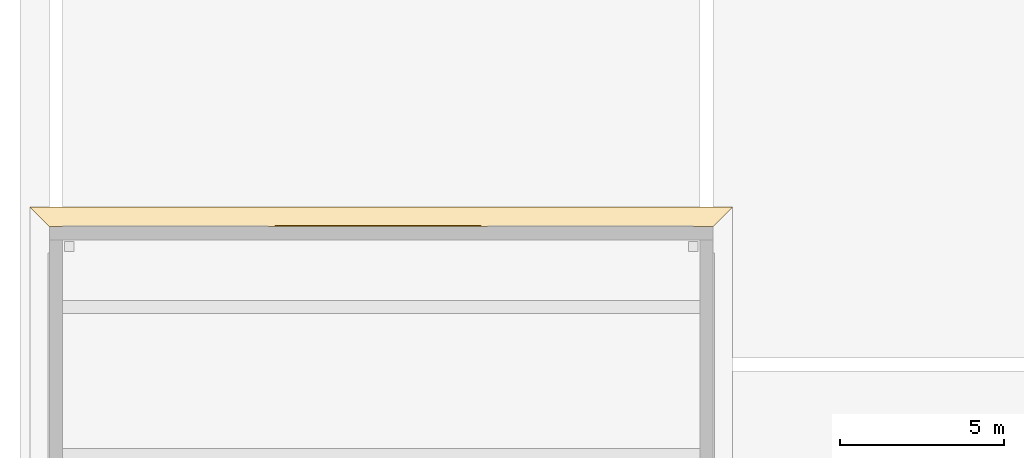
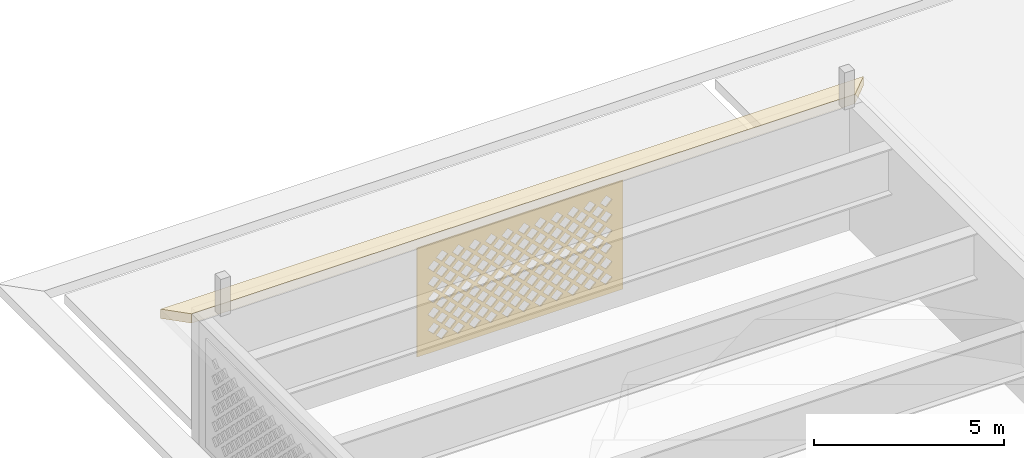
# One storey, part 31 of 63: 2 coverings.
"""IFC4 building model written with IfcOpenShell, lengths in metres."""

from ifc_helpers import new_model, si_unit, direction, frame, origin, place, context, subcontext, project, spatial, polyline, outline, extrude, material, layer, layer_set, type_object, element, save


model = new_model("IFC4")

# Units and contexts
model_context = context("Model", 3, precision=1e-05, world=origin(), true_north=direction((0.0, 1.0)))
body_context = subcontext(model_context, "Body", "Model", "MODEL_VIEW")
ifc_project = project(units=[si_unit("LENGTHUNIT", "METRE"), si_unit("AREAUNIT", "SQUARE_METRE"), si_unit("VOLUMEUNIT", "CUBIC_METRE"), si_unit("PLANEANGLEUNIT", "RADIAN"), si_unit("MASSUNIT", "GRAM", prefix="KILO")], contexts=[model_context])

# Site, building, storey
site_placement = place(None, origin())
site = spatial("IfcSite", under=ifc_project, at=site_placement, CompositionType="ELEMENT")
building_placement = place(site_placement, origin())
building = spatial("IfcBuilding", under=site, at=building_placement, Name="Noorbagh Ring Tower", CompositionType="ELEMENT")
storey_placement = place(building_placement, frame((0.0, 0.0, 25.0)))
storey = spatial("IfcBuildingStorey", under=building, at=storey_placement, Name="L04", CompositionType="ELEMENT", Elevation=25.0)

# Coverings
ifc_material_1 = material(Name="Red sandstone jali", Category="masonry")
ifc_layer = layer(ifc_material_1, 0.0400390625)
ifc_layer_set = layer_set([ifc_layer], Name="Red sandstone jali")
covering_type_1 = type_object("IfcCoveringType", Name="STH-BAND", PredefinedType="USERDEFINED", material=ifc_layer_set)
covering_1_placement = place(storey_placement, frame((-146.86669921875, 23.239990234375, 0.199951171875), z_axis=(0.0, 1.0, 0.0), x_axis=(-1.0, 0.0, 0.0)))
element("IfcCovering", 1, at=covering_1_placement, inside=storey, type_object=covering_type_1, Name="Jali band of the stage house", ObjectType="JALI SCREEN", PredefinedType="USERDEFINED", context=body_context, shape_type="SweptSolid", body=[
    extrude(outline(polyline([(0.0, 0.0), (6.2666015625, 0.0), (6.2666015625, 3.5), (0.0, 3.5), (0.0, 0.0)]), holes=[polyline([(0.328369140625, 0.5), (0.50830078125, 0.320068359375), (0.688232421875, 0.5), (0.50830078125, 0.679931640625), (0.328369140625, 0.5)]), polyline([(0.828369140625, 0.5), (1.00830078125, 0.320068359375), (1.188232421875, 0.5), (1.00830078125, 0.679931640625), (0.828369140625, 0.5)]), polyline([(1.328369140625, 0.5), (1.50830078125, 0.320068359375), (1.688232421875, 0.5), (1.50830078125, 0.679931640625), (1.328369140625, 0.5)]), polyline([(1.828369140625, 0.5), (2.00830078125, 0.320068359375), (2.188232421875, 0.5), (2.00830078125, 0.679931640625), (1.828369140625, 0.5)]), polyline([(2.328369140625, 0.5), (2.50830078125, 0.320068359375), (2.688232421875, 0.5), (2.50830078125, 0.679931640625), (2.328369140625, 0.5)]), polyline([(2.828369140625, 0.5), (3.00830078125, 0.320068359375), (3.188232421875, 0.5), (3.00830078125, 0.679931640625), (2.828369140625, 0.5)]), polyline([(3.328369140625, 0.5), (3.50830078125, 0.320068359375), (3.688232421875, 0.5), (3.50830078125, 0.679931640625), (3.328369140625, 0.5)]), polyline([(3.828369140625, 0.5), (4.00830078125, 0.320068359375), (4.188232421875, 0.5), (4.00830078125, 0.679931640625), (3.828369140625, 0.5)]), polyline([(4.328369140625, 0.5), (4.50830078125, 0.320068359375), (4.688232421875, 0.5), (4.50830078125, 0.679931640625), (4.328369140625, 0.5)]), polyline([(4.828369140625, 0.5), (5.00830078125, 0.320068359375), (5.188232421875, 0.5), (5.00830078125, 0.679931640625), (4.828369140625, 0.5)]), polyline([(5.328369140625, 0.5), (5.50830078125, 0.320068359375), (5.688232421875, 0.5), (5.50830078125, 0.679931640625), (5.328369140625, 0.5)]), polyline([(0.578369140625, 0.75), (0.75830078125, 0.570068359375), (0.938232421875, 0.75), (0.75830078125, 0.929931640625), (0.578369140625, 0.75)]), polyline([(1.078369140625, 0.75), (1.25830078125, 0.570068359375), (1.438232421875, 0.75), (1.25830078125, 0.929931640625), (1.078369140625, 0.75)]), polyline([(1.578369140625, 0.75), (1.75830078125, 0.570068359375), (1.938232421875, 0.75), (1.75830078125, 0.929931640625), (1.578369140625, 0.75)]), polyline([(2.078369140625, 0.75), (2.25830078125, 0.570068359375), (2.438232421875, 0.75), (2.25830078125, 0.929931640625), (2.078369140625, 0.75)]), polyline([(2.578369140625, 0.75), (2.75830078125, 0.570068359375), (2.938232421875, 0.75), (2.75830078125, 0.929931640625), (2.578369140625, 0.75)]), polyline([(3.078369140625, 0.75), (3.25830078125, 0.570068359375), (3.438232421875, 0.75), (3.25830078125, 0.929931640625), (3.078369140625, 0.75)]), polyline([(3.578369140625, 0.75), (3.75830078125, 0.570068359375), (3.938232421875, 0.75), (3.75830078125, 0.929931640625), (3.578369140625, 0.75)]), polyline([(4.078369140625, 0.75), (4.25830078125, 0.570068359375), (4.438232421875, 0.75), (4.25830078125, 0.929931640625), (4.078369140625, 0.75)]), polyline([(4.578369140625, 0.75), (4.75830078125, 0.570068359375), (4.938232421875, 0.75), (4.75830078125, 0.929931640625), (4.578369140625, 0.75)]), polyline([(5.078369140625, 0.75), (5.25830078125, 0.570068359375), (5.438232421875, 0.75), (5.25830078125, 0.929931640625), (5.078369140625, 0.75)]), polyline([(5.578369140625, 0.75), (5.75830078125, 0.570068359375), (5.938232421875, 0.75), (5.75830078125, 0.929931640625), (5.578369140625, 0.75)]), polyline([(0.328369140625, 1.0), (0.50830078125, 0.820068359375), (0.688232421875, 1.0), (0.50830078125, 1.179931640625), (0.328369140625, 1.0)]), polyline([(0.828369140625, 1.0), (1.00830078125, 0.820068359375), (1.188232421875, 1.0), (1.00830078125, 1.179931640625), (0.828369140625, 1.0)]), polyline([(1.328369140625, 1.0), (1.50830078125, 0.820068359375), (1.688232421875, 1.0), (1.50830078125, 1.179931640625), (1.328369140625, 1.0)]), polyline([(1.828369140625, 1.0), (2.00830078125, 0.820068359375), (2.188232421875, 1.0), (2.00830078125, 1.179931640625), (1.828369140625, 1.0)]), polyline([(2.328369140625, 1.0), (2.50830078125, 0.820068359375), (2.688232421875, 1.0), (2.50830078125, 1.179931640625), (2.328369140625, 1.0)]), polyline([(2.828369140625, 1.0), (3.00830078125, 0.820068359375), (3.188232421875, 1.0), (3.00830078125, 1.179931640625), (2.828369140625, 1.0)]), polyline([(3.328369140625, 1.0), (3.50830078125, 0.820068359375), (3.688232421875, 1.0), (3.50830078125, 1.179931640625), (3.328369140625, 1.0)]), polyline([(3.828369140625, 1.0), (4.00830078125, 0.820068359375), (4.188232421875, 1.0), (4.00830078125, 1.179931640625), (3.828369140625, 1.0)]), polyline([(4.328369140625, 1.0), (4.50830078125, 0.820068359375), (4.688232421875, 1.0), (4.50830078125, 1.179931640625), (4.328369140625, 1.0)]), polyline([(4.828369140625, 1.0), (5.00830078125, 0.820068359375), (5.188232421875, 1.0), (5.00830078125, 1.179931640625), (4.828369140625, 1.0)]), polyline([(5.328369140625, 1.0), (5.50830078125, 0.820068359375), (5.688232421875, 1.0), (5.50830078125, 1.179931640625), (5.328369140625, 1.0)]), polyline([(0.578369140625, 1.25), (0.75830078125, 1.070068359375), (0.938232421875, 1.25), (0.75830078125, 1.429931640625), (0.578369140625, 1.25)]), polyline([(1.078369140625, 1.25), (1.25830078125, 1.070068359375), (1.438232421875, 1.25), (1.25830078125, 1.429931640625), (1.078369140625, 1.25)]), polyline([(1.578369140625, 1.25), (1.75830078125, 1.070068359375), (1.938232421875, 1.25), (1.75830078125, 1.429931640625), (1.578369140625, 1.25)]), polyline([(2.078369140625, 1.25), (2.25830078125, 1.070068359375), (2.438232421875, 1.25), (2.25830078125, 1.429931640625), (2.078369140625, 1.25)]), polyline([(2.578369140625, 1.25), (2.75830078125, 1.070068359375), (2.938232421875, 1.25), (2.75830078125, 1.429931640625), (2.578369140625, 1.25)]), polyline([(3.078369140625, 1.25), (3.25830078125, 1.070068359375), (3.438232421875, 1.25), (3.25830078125, 1.429931640625), (3.078369140625, 1.25)]), polyline([(3.578369140625, 1.25), (3.75830078125, 1.070068359375), (3.938232421875, 1.25), (3.75830078125, 1.429931640625), (3.578369140625, 1.25)]), polyline([(4.078369140625, 1.25), (4.25830078125, 1.070068359375), (4.438232421875, 1.25), (4.25830078125, 1.429931640625), (4.078369140625, 1.25)]), polyline([(4.578369140625, 1.25), (4.75830078125, 1.070068359375), (4.938232421875, 1.25), (4.75830078125, 1.429931640625), (4.578369140625, 1.25)]), polyline([(5.078369140625, 1.25), (5.25830078125, 1.070068359375), (5.438232421875, 1.25), (5.25830078125, 1.429931640625), (5.078369140625, 1.25)]), polyline([(5.578369140625, 1.25), (5.75830078125, 1.070068359375), (5.938232421875, 1.25), (5.75830078125, 1.429931640625), (5.578369140625, 1.25)]), polyline([(0.328369140625, 1.5), (0.50830078125, 1.320068359375), (0.688232421875, 1.5), (0.50830078125, 1.679931640625), (0.328369140625, 1.5)]), polyline([(0.828369140625, 1.5), (1.00830078125, 1.320068359375), (1.188232421875, 1.5), (1.00830078125, 1.679931640625), (0.828369140625, 1.5)]), polyline([(1.328369140625, 1.5), (1.50830078125, 1.320068359375), (1.688232421875, 1.5), (1.50830078125, 1.679931640625), (1.328369140625, 1.5)]), polyline([(1.828369140625, 1.5), (2.00830078125, 1.320068359375), (2.188232421875, 1.5), (2.00830078125, 1.679931640625), (1.828369140625, 1.5)]), polyline([(2.328369140625, 1.5), (2.50830078125, 1.320068359375), (2.688232421875, 1.5), (2.50830078125, 1.679931640625), (2.328369140625, 1.5)]), polyline([(2.828369140625, 1.5), (3.00830078125, 1.320068359375), (3.188232421875, 1.5), (3.00830078125, 1.679931640625), (2.828369140625, 1.5)]), polyline([(3.328369140625, 1.5), (3.50830078125, 1.320068359375), (3.688232421875, 1.5), (3.50830078125, 1.679931640625), (3.328369140625, 1.5)]), polyline([(3.828369140625, 1.5), (4.00830078125, 1.320068359375), (4.188232421875, 1.5), (4.00830078125, 1.679931640625), (3.828369140625, 1.5)]), polyline([(4.328369140625, 1.5), (4.50830078125, 1.320068359375), (4.688232421875, 1.5), (4.50830078125, 1.679931640625), (4.328369140625, 1.5)]), polyline([(4.828369140625, 1.5), (5.00830078125, 1.320068359375), (5.188232421875, 1.5), (5.00830078125, 1.679931640625), (4.828369140625, 1.5)]), polyline([(5.328369140625, 1.5), (5.50830078125, 1.320068359375), (5.688232421875, 1.5), (5.50830078125, 1.679931640625), (5.328369140625, 1.5)]), polyline([(0.578369140625, 1.75), (0.75830078125, 1.570068359375), (0.938232421875, 1.75), (0.75830078125, 1.929931640625), (0.578369140625, 1.75)]), polyline([(1.078369140625, 1.75), (1.25830078125, 1.570068359375), (1.438232421875, 1.75), (1.25830078125, 1.929931640625), (1.078369140625, 1.75)]), polyline([(1.578369140625, 1.75), (1.75830078125, 1.570068359375), (1.938232421875, 1.75), (1.75830078125, 1.929931640625), (1.578369140625, 1.75)]), polyline([(2.078369140625, 1.75), (2.25830078125, 1.570068359375), (2.438232421875, 1.75), (2.25830078125, 1.929931640625), (2.078369140625, 1.75)]), polyline([(2.578369140625, 1.75), (2.75830078125, 1.570068359375), (2.938232421875, 1.75), (2.75830078125, 1.929931640625), (2.578369140625, 1.75)]), polyline([(3.078369140625, 1.75), (3.25830078125, 1.570068359375), (3.438232421875, 1.75), (3.25830078125, 1.929931640625), (3.078369140625, 1.75)]), polyline([(3.578369140625, 1.75), (3.75830078125, 1.570068359375), (3.938232421875, 1.75), (3.75830078125, 1.929931640625), (3.578369140625, 1.75)]), polyline([(4.078369140625, 1.75), (4.25830078125, 1.570068359375), (4.438232421875, 1.75), (4.25830078125, 1.929931640625), (4.078369140625, 1.75)]), polyline([(4.578369140625, 1.75), (4.75830078125, 1.570068359375), (4.938232421875, 1.75), (4.75830078125, 1.929931640625), (4.578369140625, 1.75)]), polyline([(5.078369140625, 1.75), (5.25830078125, 1.570068359375), (5.438232421875, 1.75), (5.25830078125, 1.929931640625), (5.078369140625, 1.75)]), polyline([(5.578369140625, 1.75), (5.75830078125, 1.570068359375), (5.938232421875, 1.75), (5.75830078125, 1.929931640625), (5.578369140625, 1.75)]), polyline([(0.328369140625, 2.0), (0.50830078125, 1.820068359375), (0.688232421875, 2.0), (0.50830078125, 2.179931640625), (0.328369140625, 2.0)]), polyline([(0.828369140625, 2.0), (1.00830078125, 1.820068359375), (1.188232421875, 2.0), (1.00830078125, 2.179931640625), (0.828369140625, 2.0)]), polyline([(1.328369140625, 2.0), (1.50830078125, 1.820068359375), (1.688232421875, 2.0), (1.50830078125, 2.179931640625), (1.328369140625, 2.0)]), polyline([(1.828369140625, 2.0), (2.00830078125, 1.820068359375), (2.188232421875, 2.0), (2.00830078125, 2.179931640625), (1.828369140625, 2.0)]), polyline([(2.328369140625, 2.0), (2.50830078125, 1.820068359375), (2.688232421875, 2.0), (2.50830078125, 2.179931640625), (2.328369140625, 2.0)]), polyline([(2.828369140625, 2.0), (3.00830078125, 1.820068359375), (3.188232421875, 2.0), (3.00830078125, 2.179931640625), (2.828369140625, 2.0)]), polyline([(3.328369140625, 2.0), (3.50830078125, 1.820068359375), (3.688232421875, 2.0), (3.50830078125, 2.179931640625), (3.328369140625, 2.0)]), polyline([(3.828369140625, 2.0), (4.00830078125, 1.820068359375), (4.188232421875, 2.0), (4.00830078125, 2.179931640625), (3.828369140625, 2.0)]), polyline([(4.328369140625, 2.0), (4.50830078125, 1.820068359375), (4.688232421875, 2.0), (4.50830078125, 2.179931640625), (4.328369140625, 2.0)]), polyline([(4.828369140625, 2.0), (5.00830078125, 1.820068359375), (5.188232421875, 2.0), (5.00830078125, 2.179931640625), (4.828369140625, 2.0)]), polyline([(5.328369140625, 2.0), (5.50830078125, 1.820068359375), (5.688232421875, 2.0), (5.50830078125, 2.179931640625), (5.328369140625, 2.0)]), polyline([(0.578369140625, 2.25), (0.75830078125, 2.070068359375), (0.938232421875, 2.25), (0.75830078125, 2.429931640625), (0.578369140625, 2.25)]), polyline([(1.078369140625, 2.25), (1.25830078125, 2.070068359375), (1.438232421875, 2.25), (1.25830078125, 2.429931640625), (1.078369140625, 2.25)]), polyline([(1.578369140625, 2.25), (1.75830078125, 2.070068359375), (1.938232421875, 2.25), (1.75830078125, 2.429931640625), (1.578369140625, 2.25)]), polyline([(2.078369140625, 2.25), (2.25830078125, 2.070068359375), (2.438232421875, 2.25), (2.25830078125, 2.429931640625), (2.078369140625, 2.25)]), polyline([(2.578369140625, 2.25), (2.75830078125, 2.070068359375), (2.938232421875, 2.25), (2.75830078125, 2.429931640625), (2.578369140625, 2.25)]), polyline([(3.078369140625, 2.25), (3.25830078125, 2.070068359375), (3.438232421875, 2.25), (3.25830078125, 2.429931640625), (3.078369140625, 2.25)]), polyline([(3.578369140625, 2.25), (3.75830078125, 2.070068359375), (3.938232421875, 2.25), (3.75830078125, 2.429931640625), (3.578369140625, 2.25)]), polyline([(4.078369140625, 2.25), (4.25830078125, 2.070068359375), (4.438232421875, 2.25), (4.25830078125, 2.429931640625), (4.078369140625, 2.25)]), polyline([(4.578369140625, 2.25), (4.75830078125, 2.070068359375), (4.938232421875, 2.25), (4.75830078125, 2.429931640625), (4.578369140625, 2.25)]), polyline([(5.078369140625, 2.25), (5.25830078125, 2.070068359375), (5.438232421875, 2.25), (5.25830078125, 2.429931640625), (5.078369140625, 2.25)]), polyline([(5.578369140625, 2.25), (5.75830078125, 2.070068359375), (5.938232421875, 2.25), (5.75830078125, 2.429931640625), (5.578369140625, 2.25)]), polyline([(0.328369140625, 2.5), (0.50830078125, 2.320068359375), (0.688232421875, 2.5), (0.50830078125, 2.679931640625), (0.328369140625, 2.5)]), polyline([(0.828369140625, 2.5), (1.00830078125, 2.320068359375), (1.188232421875, 2.5), (1.00830078125, 2.679931640625), (0.828369140625, 2.5)]), polyline([(1.328369140625, 2.5), (1.50830078125, 2.320068359375), (1.688232421875, 2.5), (1.50830078125, 2.679931640625), (1.328369140625, 2.5)]), polyline([(1.828369140625, 2.5), (2.00830078125, 2.320068359375), (2.188232421875, 2.5), (2.00830078125, 2.679931640625), (1.828369140625, 2.5)]), polyline([(2.328369140625, 2.5), (2.50830078125, 2.320068359375), (2.688232421875, 2.5), (2.50830078125, 2.679931640625), (2.328369140625, 2.5)]), polyline([(2.828369140625, 2.5), (3.00830078125, 2.320068359375), (3.188232421875, 2.5), (3.00830078125, 2.679931640625), (2.828369140625, 2.5)]), polyline([(3.328369140625, 2.5), (3.50830078125, 2.320068359375), (3.688232421875, 2.5), (3.50830078125, 2.679931640625), (3.328369140625, 2.5)]), polyline([(3.828369140625, 2.5), (4.00830078125, 2.320068359375), (4.188232421875, 2.5), (4.00830078125, 2.679931640625), (3.828369140625, 2.5)]), polyline([(4.328369140625, 2.5), (4.50830078125, 2.320068359375), (4.688232421875, 2.5), (4.50830078125, 2.679931640625), (4.328369140625, 2.5)]), polyline([(4.828369140625, 2.5), (5.00830078125, 2.320068359375), (5.188232421875, 2.5), (5.00830078125, 2.679931640625), (4.828369140625, 2.5)]), polyline([(5.328369140625, 2.5), (5.50830078125, 2.320068359375), (5.688232421875, 2.5), (5.50830078125, 2.679931640625), (5.328369140625, 2.5)]), polyline([(0.578369140625, 2.75), (0.75830078125, 2.570068359375), (0.938232421875, 2.75), (0.75830078125, 2.929931640625), (0.578369140625, 2.75)]), polyline([(1.078369140625, 2.75), (1.25830078125, 2.570068359375), (1.438232421875, 2.75), (1.25830078125, 2.929931640625), (1.078369140625, 2.75)]), polyline([(1.578369140625, 2.75), (1.75830078125, 2.570068359375), (1.938232421875, 2.75), (1.75830078125, 2.929931640625), (1.578369140625, 2.75)]), polyline([(2.078369140625, 2.75), (2.25830078125, 2.570068359375), (2.438232421875, 2.75), (2.25830078125, 2.929931640625), (2.078369140625, 2.75)]), polyline([(2.578369140625, 2.75), (2.75830078125, 2.570068359375), (2.938232421875, 2.75), (2.75830078125, 2.929931640625), (2.578369140625, 2.75)]), polyline([(3.078369140625, 2.75), (3.25830078125, 2.570068359375), (3.438232421875, 2.75), (3.25830078125, 2.929931640625), (3.078369140625, 2.75)]), polyline([(3.578369140625, 2.75), (3.75830078125, 2.570068359375), (3.938232421875, 2.75), (3.75830078125, 2.929931640625), (3.578369140625, 2.75)]), polyline([(4.078369140625, 2.75), (4.25830078125, 2.570068359375), (4.438232421875, 2.75), (4.25830078125, 2.929931640625), (4.078369140625, 2.75)]), polyline([(4.578369140625, 2.75), (4.75830078125, 2.570068359375), (4.938232421875, 2.75), (4.75830078125, 2.929931640625), (4.578369140625, 2.75)]), polyline([(5.078369140625, 2.75), (5.25830078125, 2.570068359375), (5.438232421875, 2.75), (5.25830078125, 2.929931640625), (5.078369140625, 2.75)]), polyline([(5.578369140625, 2.75), (5.75830078125, 2.570068359375), (5.938232421875, 2.75), (5.75830078125, 2.929931640625), (5.578369140625, 2.75)]), polyline([(0.328369140625, 3.0), (0.50830078125, 2.820068359375), (0.688232421875, 3.0), (0.50830078125, 3.179931640625), (0.328369140625, 3.0)]), polyline([(0.828369140625, 3.0), (1.00830078125, 2.820068359375), (1.188232421875, 3.0), (1.00830078125, 3.179931640625), (0.828369140625, 3.0)]), polyline([(1.328369140625, 3.0), (1.50830078125, 2.820068359375), (1.688232421875, 3.0), (1.50830078125, 3.179931640625), (1.328369140625, 3.0)]), polyline([(1.828369140625, 3.0), (2.00830078125, 2.820068359375), (2.188232421875, 3.0), (2.00830078125, 3.179931640625), (1.828369140625, 3.0)]), polyline([(2.328369140625, 3.0), (2.50830078125, 2.820068359375), (2.688232421875, 3.0), (2.50830078125, 3.179931640625), (2.328369140625, 3.0)]), polyline([(2.828369140625, 3.0), (3.00830078125, 2.820068359375), (3.188232421875, 3.0), (3.00830078125, 3.179931640625), (2.828369140625, 3.0)]), polyline([(3.328369140625, 3.0), (3.50830078125, 2.820068359375), (3.688232421875, 3.0), (3.50830078125, 3.179931640625), (3.328369140625, 3.0)]), polyline([(3.828369140625, 3.0), (4.00830078125, 2.820068359375), (4.188232421875, 3.0), (4.00830078125, 3.179931640625), (3.828369140625, 3.0)]), polyline([(4.328369140625, 3.0), (4.50830078125, 2.820068359375), (4.688232421875, 3.0), (4.50830078125, 3.179931640625), (4.328369140625, 3.0)]), polyline([(4.828369140625, 3.0), (5.00830078125, 2.820068359375), (5.188232421875, 3.0), (5.00830078125, 3.179931640625), (4.828369140625, 3.0)]), polyline([(5.328369140625, 3.0), (5.50830078125, 2.820068359375), (5.688232421875, 3.0), (5.50830078125, 3.179931640625), (5.328369140625, 3.0)])]), origin(), (0.0, 0.0, -1.0), 0.0400390625),
])
ifc_material_2 = material(Name="Red sandstone eave", Category="masonry")
covering_type_2 = type_object("IfcCoveringType", Name="STH-CHHAJJA", PredefinedType="USERDEFINED", material=ifc_material_2)
covering_2_placement = place(storey_placement, frame((0.0, 0.0, 3.699951171875)))
element("IfcCovering", 2, at=covering_2_placement, inside=storey, type_object=covering_type_2, Name="Cornice of the stage house", ObjectType="CHHAJJA", PredefinedType="USERDEFINED", context=body_context, shape_type="SweptSolid", body=[
    extrude(outline(polyline([(-139.800048828125, 23.199951171875), (-160.0, 23.199951171875), (-160.60009765625, 23.800048828125), (-139.199951171875, 23.800048828125), (-139.800048828125, 23.199951171875)])), origin(), (0.0, 0.0, 1.0), 0.300048828125),
])

save(model, "model.ifc")
